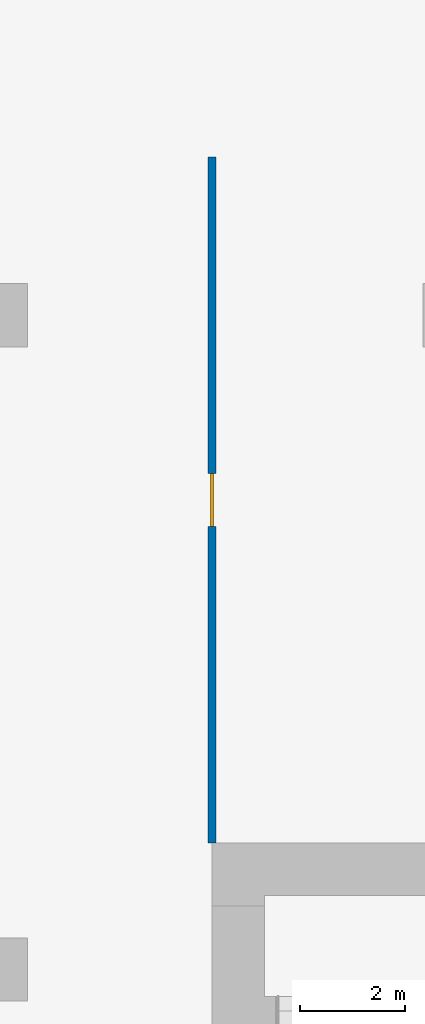
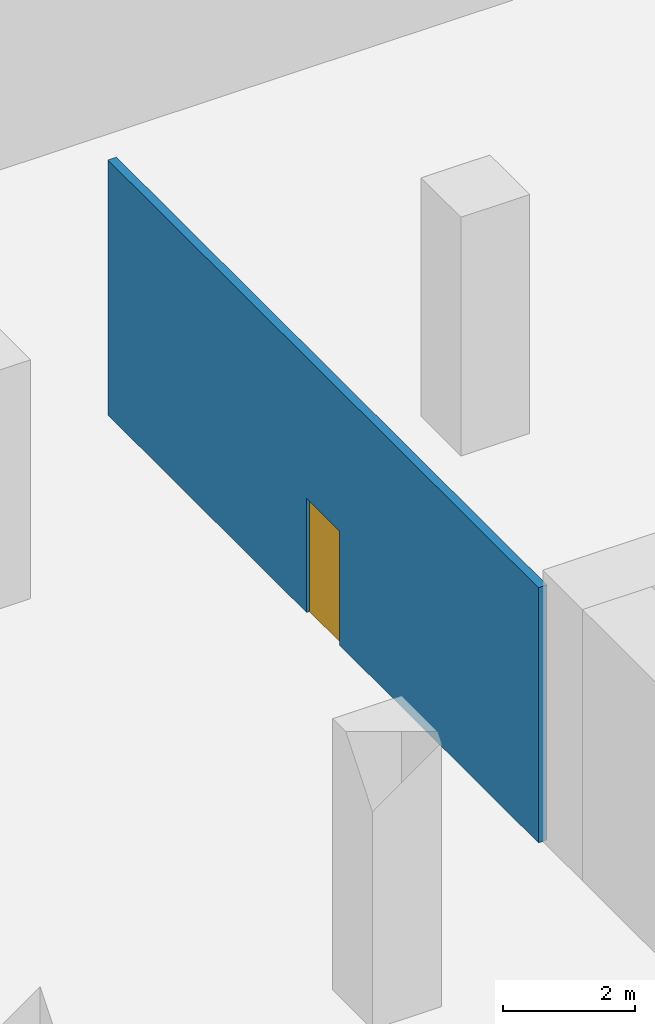
# One storey, part 11 of 16: 1 door, 1 wall, 1 opening.
"""IFC4 building model written with IfcOpenShell, lengths in metres."""

from ifc_helpers import new_model, si_unit, direction, frame, frame_2d, origin, place, context, subcontext, project, spatial, rectangle, extrude, material, layer, layer_set, type_object, element, fill, save


model = new_model("IFC4")

# Units and contexts
model_context = context("Model", 3, precision=1e-05, world=origin(), true_north=direction((0.0, 1.0)))
body_context = subcontext(model_context, "Body", "Model", "MODEL_VIEW")
ifc_project = project(units=[si_unit("LENGTHUNIT", "METRE"), si_unit("AREAUNIT", "SQUARE_METRE"), si_unit("VOLUMEUNIT", "CUBIC_METRE"), si_unit("PLANEANGLEUNIT", "RADIAN"), si_unit("MASSUNIT", "GRAM", prefix="KILO")], contexts=[model_context])

# Site, building, storey
site_placement = place(None, origin())
site = spatial("IfcSite", under=ifc_project, at=site_placement, CompositionType="ELEMENT")
building_placement = place(site_placement, origin())
building = spatial("IfcBuilding", under=site, at=building_placement, Name="Bicima Exchange Tower", CompositionType="ELEMENT")
storey_placement = place(building_placement, frame((0.0, 0.0, -5.0)))
storey = spatial("IfcBuildingStorey", under=building, at=storey_placement, Name="B1", CompositionType="ELEMENT", Elevation=-5.0)

# Wall, opening, door
ifc_material_1 = material(Name="Gypsum board partition")
ifc_layer = layer(ifc_material_1, 0.14990234375)
ifc_layer_set = layer_set([ifc_layer], Name="Gypsum board partition")
wall_type = type_object("IfcWallType", Name="Gypsum partition 150", PredefinedType="PARTITIONING", material=ifc_layer_set)
wall_placement = place(storey_placement, frame((-22.0, 0.0, 0.0), z_axis=(0.0, 0.0, 1.0), x_axis=(0.0, 1.0, 0.0)))
wall = element("IfcWall", 1, at=wall_placement, inside=storey, type_object=wall_type, Name="partition wall 38", PredefinedType="PARTITIONING", context=body_context, shape_type="SweptSolid", body=[
    extrude(rectangle(XDim=13.0, YDim=0.14990234375, at=frame_2d((6.5, 0.0))), origin(), (0.0, 0.0, 1.0), 4.699951171875),
])
opening_placement = place(wall_placement, frame((6.0, 0.0, 0.0)))
opening = element("IfcOpeningElement", 2, at=opening_placement, cuts=wall, Name="Opening B1-017", PredefinedType="OPENING", context=body_context, shape_type="SweptSolid", body=[
    extrude(rectangle(XDim=1.0, YDim=2.10009765625, at=frame_2d((0.5, 1.050048828125))), frame((0.0, 0.0869140625, 0.0), z_axis=(0.0, -1.0, 0.0), x_axis=(1.0, 0.0, 0.0)), (0.0, 0.0, 1.0), 0.173828125),
])
ifc_material_2 = material(Name="Timber door leaf", Category="wood")
door_type = type_object("IfcDoorType", Name="Door 1000 swing", OperationType="SINGLE_SWING_LEFT", PredefinedType="DOOR", material=ifc_material_2)
door_placement = place(opening_placement, frame((1.0, 0.0, 0.0), z_axis=(0.0, 0.0, 1.0), x_axis=(-1.0, 0.0, 0.0)))
door = element("IfcDoor", 3, at=door_placement, inside=storey, type_object=door_type, Name="Door", OperationType="SINGLE_SWING_RIGHT", OverallHeight=2.10009765625, OverallWidth=1.0, PredefinedType="DOOR", context=body_context, shape_type="SweptSolid", body=[
    extrude(rectangle(XDim=1.0, YDim=2.10009765625, at=frame_2d((0.5, 1.050048828125))), frame((0.0, 0.02490234375, 0.0), z_axis=(0.0, -1.0, 0.0), x_axis=(1.0, 0.0, 0.0)), (0.0, 0.0, 1.0), 0.050048828125),
])
fill(opening, door)

save(model, "model.ifc")
